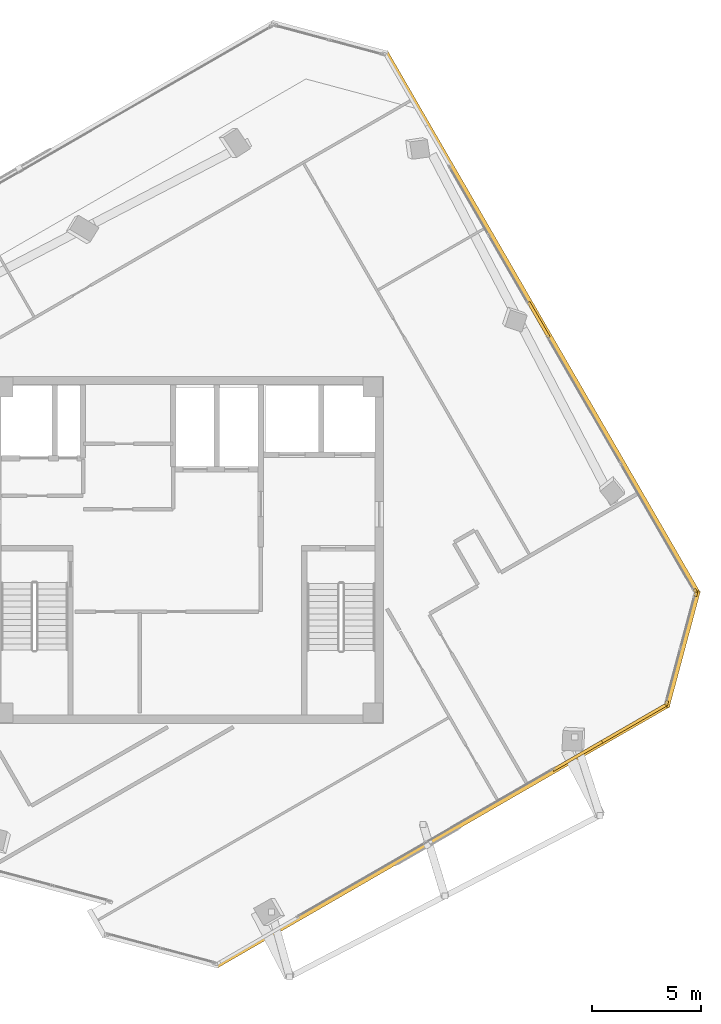
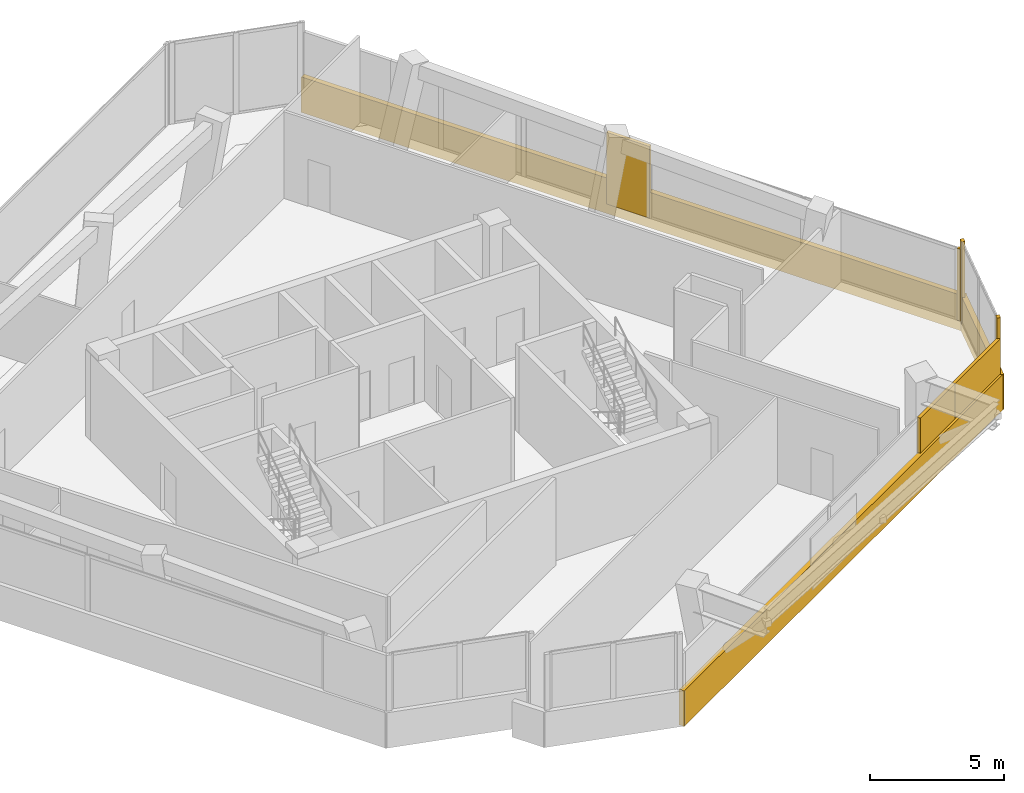
# One storey, part 14 of 15: 9 coverings.
"""IFC4 building model written with IfcOpenShell, lengths in metres."""

from ifc_helpers import new_model, si_unit, direction, frame, origin, origin_2d, place, context, subcontext, project, spatial, rectangle, extrude, source, transform, mapped, material, layer, layer_set, type_object, element, save


model = new_model("IFC4")

# Units and contexts
model_context = context("Model", 3, precision=1e-05, world=origin(), true_north=direction((0.0, 1.0)))
body_context = subcontext(model_context, "Body", "Model", "MODEL_VIEW")
ifc_project = project(units=[si_unit("LENGTHUNIT", "METRE"), si_unit("AREAUNIT", "SQUARE_METRE"), si_unit("VOLUMEUNIT", "CUBIC_METRE"), si_unit("PLANEANGLEUNIT", "RADIAN"), si_unit("MASSUNIT", "GRAM", prefix="KILO")], contexts=[model_context])

# Site, building, storey
site_placement = place(None, origin())
site = spatial("IfcSite", under=ifc_project, at=site_placement, CompositionType="ELEMENT")
building_placement = place(site_placement, origin())
building = spatial("IfcBuilding", under=site, at=building_placement, Name="Torre Montelarca", CompositionType="ELEMENT")
storey_placement = place(building_placement, frame((0.0, 0.0, 324.0)))
storey = spatial("IfcBuildingStorey", under=building, at=storey_placement, Name="L73", CompositionType="ELEMENT", Elevation=324.0)

# Coverings
ifc_material = material(Name="Bush-hammered warm white precast concrete C45/55", Category="concrete")
ifc_layer = layer(ifc_material, 0.139892578125, Name="Bush-hammered warm white precast concrete C45/55", Category="concrete")
ifc_layer_set = layer_set([ifc_layer], Name="Bush-hammered warm white precast concrete C45/55")
covering_type = type_object("IfcCoveringType", Name="COV-TRAY-CLAD", PredefinedType="CLADDING", material=ifc_layer_set)
shared_shape_1 = source(origin(), body_context, "Body", "SweptSolid", [
    extrude(rectangle(XDim=0.199951171875, YDim=0.139892578125, at=origin_2d()), origin(), (0.0, 0.0, 1.0), 3.719970703125),
])
for number, where, z_axis, x_axis, name in (
    (1, (39.8818359375, 24.998291015625, 0.0), (0.0, 0.0, 1.0), (0.258820730961, 0.965925374563, 0.0), "L73 Architectural Column Pier Cladding E07-1"),
    (2, (41.212646484375, 29.965576171875, 0.0), (0.0, 0.0, 1.0), (0.258820730961, 0.965925374563, 0.0), "L73 Architectural Column Pier Cladding E07-2"),
):
    element("IfcCovering", number, at=place(storey_placement, frame(where, z_axis=z_axis, x_axis=x_axis)), inside=storey, type_object=covering_type, Name=name, PredefinedType="CLADDING", context=body_context, shape_type="MappedRepresentation", body=[
        mapped(shared_shape_1, transform((0.0, 0.0, 0.0), scale=1.0)),
    ])
shared_shape_2 = source(origin(), body_context, "Body", "SweptSolid", [
    extrude(rectangle(XDim=5.493896484375, YDim=0.219970703125, at=origin_2d()), origin(), (0.0, 0.0, 1.0), 1.6201171875),
])
covering_1_placement = place(storey_placement, frame((40.605224609375, 27.46630859375, -0.449951171875), z_axis=(0.0, 0.0, 1.0), x_axis=(0.258819045103, 0.965925826289, 0.0)))
element("IfcCovering", 3, at=covering_1_placement, inside=storey, type_object=covering_type, Name="L73 Architectural White Spandrel Tray Band TRYBOT-07", PredefinedType="CLADDING", context=body_context, shape_type="MappedRepresentation", body=[
    mapped(shared_shape_2, transform((0.0, 0.0, 0.0), scale=1.0)),
])
shared_shape_3 = source(origin(), body_context, "Body", "SweptSolid", [
    extrude(rectangle(XDim=28.6201171875, YDim=0.219970703125, at=origin_2d()), origin(), (0.0, 0.0, 1.0), 1.6201171875),
])
covering_2_placement = place(storey_placement, frame((34.1787109375, 42.3798828125, -0.449951171875), z_axis=(0.0, 0.0, 1.0), x_axis=(-0.5, 0.866025403784, 0.0)))
element("IfcCovering", 4, at=covering_2_placement, inside=storey, type_object=covering_type, Name="L73 Architectural White Spandrel Tray Band TRYBOT-08", PredefinedType="CLADDING", context=body_context, shape_type="MappedRepresentation", body=[
    mapped(shared_shape_3, transform((0.0, 0.0, 0.0), scale=1.0)),
])
shared_shape_4 = source(origin(), body_context, "Body", "SweptSolid", [
    extrude(rectangle(XDim=0.199951171875, YDim=0.139892578125, at=origin_2d()), origin(), (0.0, 0.0, 1.0), 3.27490234375),
])
covering_3_placement = place(storey_placement, frame((41.193603515625, 30.109375, 0.0), z_axis=(0.0, 0.0, 1.0), x_axis=(-0.500001511499, 0.866024531118, 0.0)))
element("IfcCovering", 5, at=covering_3_placement, inside=storey, type_object=covering_type, Name="L73 Architectural Column Pier Cladding E08-1", PredefinedType="CLADDING", context=body_context, shape_type="MappedRepresentation", body=[
    mapped(shared_shape_4, transform((0.0, 0.0, 0.0), scale=1.0)),
])
shared_shape_5 = source(origin(), body_context, "Body", "SweptSolid", [
    extrude(rectangle(XDim=23.919921875, YDim=0.219970703125, at=origin_2d()), origin(), (0.0, 0.0, 1.0), 1.6201171875),
])
covering_4_placement = place(storey_placement, frame((29.617919921875, 18.939208984375, -0.449951171875), z_axis=(0.0, 0.0, 1.0), x_axis=(0.866025403784, 0.5, 0.0)))
element("IfcCovering", 6, at=covering_4_placement, inside=storey, type_object=covering_type, Name="L73 Architectural White Spandrel Tray Band TRYBOT-06", PredefinedType="CLADDING", context=body_context, shape_type="MappedRepresentation", body=[
    mapped(shared_shape_5, transform((0.0, 0.0, 0.0), scale=1.0)),
])
shared_shape_6 = source(origin(), body_context, "Body", "SweptSolid", [
    extrude(rectangle(XDim=2.60009765625, YDim=0.139892578125, at=origin_2d()), origin(), (0.0, 0.0, 1.0), 2.77490234375),
])
covering_5_placement = place(storey_placement, frame((35.805908203125, 22.5810546875, 0.0), z_axis=(0.0, 0.0, 1.0), x_axis=(0.866025403784, 0.5, 0.0)))
element("IfcCovering", 7, at=covering_5_placement, inside=storey, type_object=covering_type, Name="L73 Architectural Column Pier Cladding E06-3", PredefinedType="CLADDING", context=body_context, shape_type="MappedRepresentation", body=[
    mapped(shared_shape_6, transform((0.0, 0.0, 0.0), scale=1.0)),
])
shared_shape_7 = source(origin(), body_context, "Body", "SweptSolid", [
    extrude(rectangle(XDim=3.504150390625, YDim=0.139892578125, at=origin_2d()), origin(), (0.0, 0.0, 1.0), 2.77490234375),
])
covering_6_placement = place(storey_placement, frame((38.362548828125, 24.05712890625, 0.0), z_axis=(0.0, 0.0, 1.0), x_axis=(0.866025403784, 0.5, 0.0)))
element("IfcCovering", 8, at=covering_6_placement, inside=storey, type_object=covering_type, Name="L73 Architectural Column Pier Cladding E06-4", PredefinedType="CLADDING", context=body_context, shape_type="MappedRepresentation", body=[
    mapped(shared_shape_7, transform((0.0, 0.0, 0.0), scale=1.0)),
])
shared_shape_8 = source(origin(), body_context, "Body", "SweptSolid", [
    extrude(rectangle(XDim=1.860107421875, YDim=0.139892578125, at=origin_2d()), origin(), (0.0, 0.0, 1.0), 3.27490234375),
])
covering_7_placement = place(storey_placement, frame((34.03369140625, 42.510986328125, 0.0), z_axis=(0.0, 0.0, 1.0), x_axis=(-0.500001511499, 0.866024531118, 0.0)))
element("IfcCovering", 9, at=covering_7_placement, inside=storey, type_object=covering_type, Name="L73 Architectural Column Pier Cladding E08-2", PredefinedType="CLADDING", context=body_context, shape_type="MappedRepresentation", body=[
    mapped(shared_shape_8, transform((0.0, 0.0, 0.0), scale=1.0)),
])

save(model, "model.ifc")
